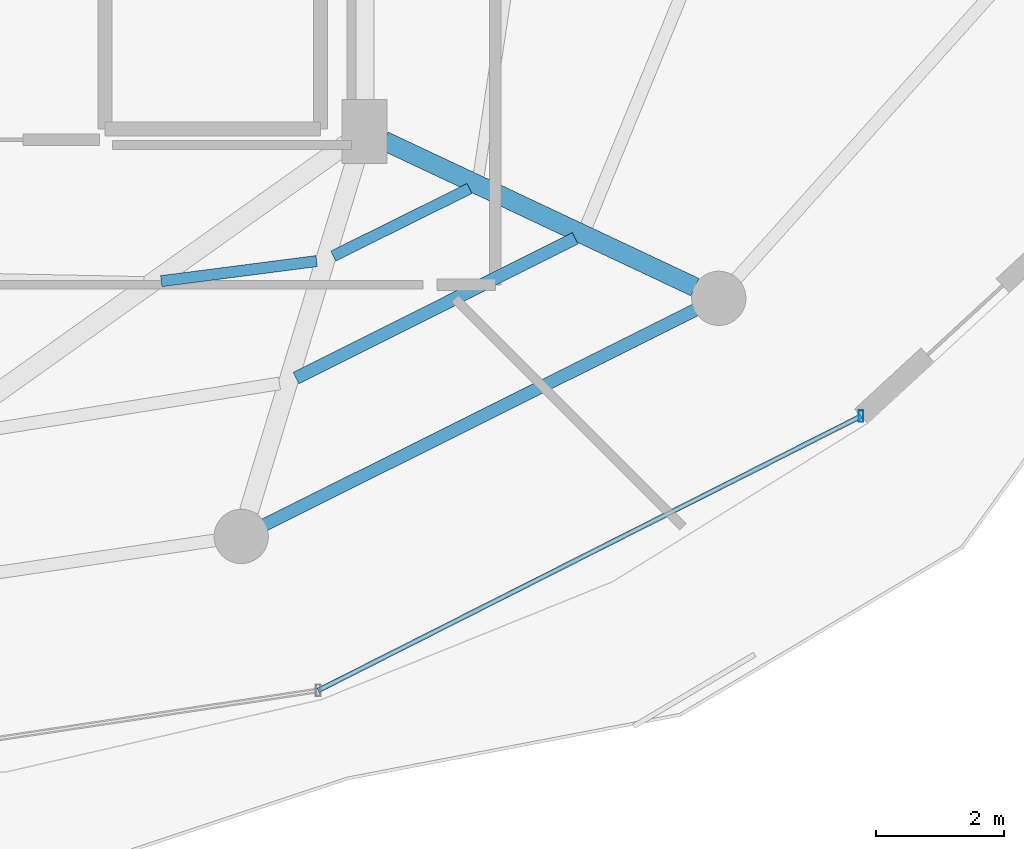
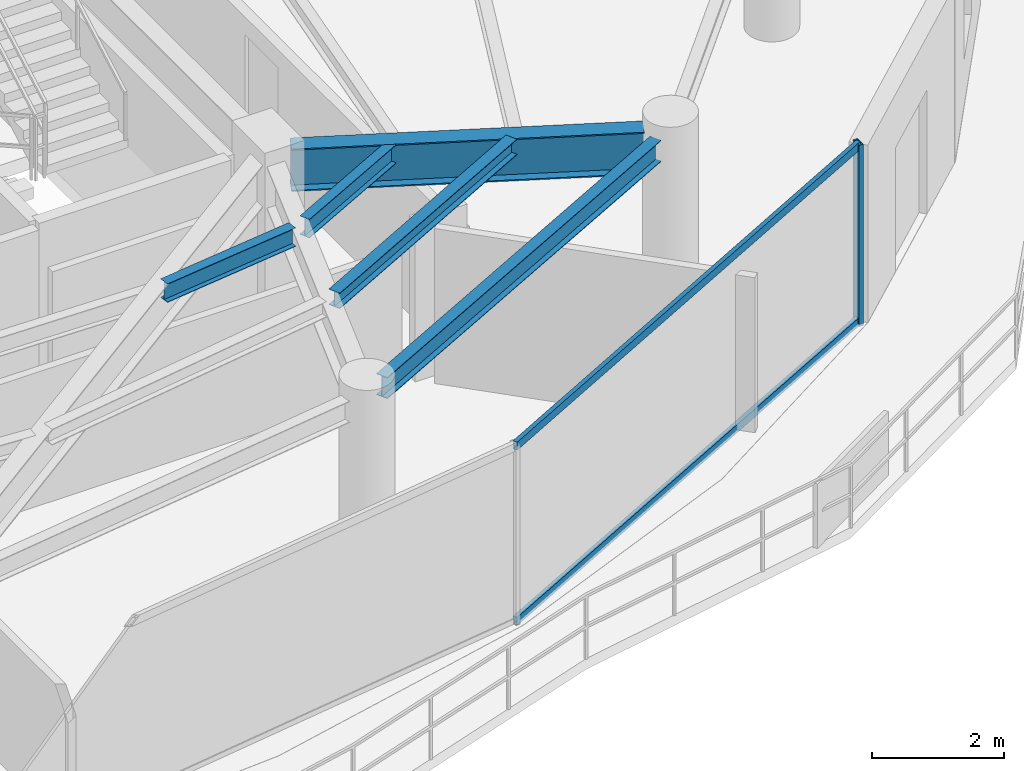
# One storey, part 11 of 29: 5 beams, 3 members, 1 element without a shape of its own.
"""IFC4 building model written with IfcOpenShell, lengths in metres."""

from ifc_helpers import new_model, si_unit, direction, frame, origin, origin_2d, place, context, subcontext, project, spatial, hollow_rectangle, i_section, extrude, material, material_profile, profile_set, type_object, element, aggregate, save


model = new_model("IFC4")

# Units and contexts
model_context = context("Model", 3, precision=1e-05, world=origin(), true_north=direction((0.0, 1.0)))
body_context = subcontext(model_context, "Body", "Model", "MODEL_VIEW")
ifc_project = project(units=[si_unit("LENGTHUNIT", "METRE"), si_unit("AREAUNIT", "SQUARE_METRE"), si_unit("VOLUMEUNIT", "CUBIC_METRE"), si_unit("PLANEANGLEUNIT", "RADIAN"), si_unit("MASSUNIT", "GRAM", prefix="KILO")], contexts=[model_context])

# Site, building, storey
site_placement = place(None, origin())
site = spatial("IfcSite", under=ifc_project, at=site_placement, CompositionType="ELEMENT")
building_placement = place(site_placement, origin())
building = spatial("IfcBuilding", under=site, at=building_placement, Name="Vorneva Point Tower", CompositionType="ELEMENT")
storey_placement = place(building_placement, frame((0.0, 0.0, 273.300048828125)))
storey = spatial("IfcBuildingStorey", under=building, at=storey_placement, Name="L74", CompositionType="ELEMENT", Elevation=273.300048828125)

# Beams
ifc_material_1 = material(Name="Steel S355", Category="steel")
ifc_material_profile_1 = material_profile(ifc_material_1, i_section(OverallWidth=0.300048828125, OverallDepth=0.7880859375, WebThickness=0.014404296875, FlangeThickness=0.02197265625, at=origin_2d()), Name="80Sh1")
ifc_profile_set_1 = profile_set([ifc_material_profile_1], Name="Steel S355")
beam_type_1 = type_object("IfcBeamType", Name="BM-GRD-80Sh1", PredefinedType="USERDEFINED", material=ifc_profile_set_1)
beam_1_placement = place(storey_placement, frame((53.925048828125, 14.013671875, 2.89599609375), z_axis=(-0.904750812805, 0.425941271455, 0.0), x_axis=(-0.425941271455, -0.904750812805, 0.0)))
element("IfcBeam", 1, at=beam_1_placement, inside=storey, type_object=beam_type_1, Name="L74 Radial Primary Girder 15", ObjectType="GIRDER", PredefinedType="USERDEFINED", context=body_context, shape_type="SweptSolid", body=[
    extrude(i_section(OverallWidth=0.300048828125, OverallDepth=0.7880859375, WebThickness=0.014404296875, FlangeThickness=0.02197265625, at=origin_2d()), origin(), (0.0, 0.0, 1.0), 5.3798828125),
])
ifc_material_profile_2 = material_profile(ifc_material_1, i_section(OverallWidth=0.199951171875, OverallDepth=0.291015625, WebThickness=0.008056640625, FlangeThickness=0.010986328125, at=origin_2d()), Name="30Sh1")
ifc_profile_set_2 = profile_set([ifc_material_profile_2], Name="Steel S355")
beam_type_2 = type_object("IfcBeamType", Name="BM-SEC-30Sh1", PredefinedType="BEAM", material=ifc_profile_set_2)
beam_2_placement = place(storey_placement, frame((47.68017578125, 12.589599609375, 3.14453125), z_axis=(0.894207228659, 0.447653249975, 0.0), x_axis=(-0.447653249975, 0.894207228659, 0.0)))
element("IfcBeam", 2, at=beam_2_placement, inside=storey, type_object=beam_type_2, Name="L74 Secondary Floor Beam 1.14", PredefinedType="BEAM", context=body_context, shape_type="SweptSolid", body=[
    extrude(i_section(OverallWidth=0.199951171875, OverallDepth=0.291015625, WebThickness=0.008056640625, FlangeThickness=0.010986328125, at=origin_2d()), origin(), (0.0, 0.0, 1.0), 4.885986328125),
])
ifc_material_profile_3 = material_profile(ifc_material_1, i_section(OverallWidth=0.174072265625, OverallDepth=0.345947265625, WebThickness=0.006103515625, FlangeThickness=0.009033203125, at=origin_2d()), Name="35B1")
ifc_profile_set_3 = profile_set([ifc_material_profile_3], Name="Steel S355")
beam_type_3 = type_object("IfcBeamType", Name="BM-SEC-35B1", PredefinedType="BEAM", material=ifc_profile_set_3)
beam_3_placement = place(storey_placement, frame((45.56884765625, 14.106689453125, 3.116943359375), z_axis=(0.991759516667, 0.128113469633, 0.0), x_axis=(-0.128113469633, 0.991759516667, 0.0)))
element("IfcBeam", 3, at=beam_3_placement, inside=storey, type_object=beam_type_3, Name="L74 Secondary Floor Beam 2.13", PredefinedType="BEAM", context=body_context, shape_type="SweptSolid", body=[
    extrude(i_section(OverallWidth=0.174072265625, OverallDepth=0.345947265625, WebThickness=0.006103515625, FlangeThickness=0.009033203125, at=origin_2d()), origin(), (0.0, 0.0, 1.0), 2.45263671875),
])
beam_4_placement = place(storey_placement, frame((48.26171875, 14.5, 3.116943359375), z_axis=(0.896082897708, 0.443886742803, 0.0), x_axis=(-0.443886742803, 0.896082897708, 0.0)))
element("IfcBeam", 4, at=beam_4_placement, inside=storey, type_object=beam_type_3, Name="L74 Secondary Floor Beam 2.14", PredefinedType="BEAM", context=body_context, shape_type="SweptSolid", body=[
    extrude(i_section(OverallWidth=0.174072265625, OverallDepth=0.345947265625, WebThickness=0.006103515625, FlangeThickness=0.009033203125, at=origin_2d()), origin(), (0.0, 0.0, 1.0), 2.3798828125),
])
ifc_material_profile_4 = material_profile(ifc_material_1, i_section(OverallWidth=0.198974609375, OverallDepth=0.39599609375, WebThickness=0.007080078125, FlangeThickness=0.010986328125, at=origin_2d()), Name="40B1")
ifc_profile_set_4 = profile_set([ifc_material_profile_4], Name="Steel S355")
beam_type_4 = type_object("IfcBeamType", Name="BM-SPN-40B1", PredefinedType="SPANDREL", material=ifc_profile_set_4)
beam_5_placement = place(storey_placement, frame((47.187744140625, 10.292236328125, 3.092041015625), z_axis=(0.894932011528, 0.446202526599, 0.0), x_axis=(-0.446202526599, 0.894932011528, 0.0)))
element("IfcBeam", 5, at=beam_5_placement, inside=storey, type_object=beam_type_4, Name="L74 Perimeter Spandrel Ring Beam 14", PredefinedType="SPANDREL", context=body_context, shape_type="SweptSolid", body=[
    extrude(i_section(OverallWidth=0.198974609375, OverallDepth=0.39599609375, WebThickness=0.007080078125, FlangeThickness=0.010986328125, at=origin_2d()), origin(), (0.0, 0.0, 1.0), 7.535888671875),
])

# Curtain wall, members
ifc_material_2 = material(Name="Pale anodised aluminium", Category="aluminium")
curtain_wall_type = type_object("IfcCurtainWallType", Name="CW-RES-SYS", PredefinedType="NOTDEFINED", material=ifc_material_2)
curtain_wall_placement = place(storey_placement, origin())
curtain_wall = element("IfcCurtainWall", 6, at=curtain_wall_placement, inside=storey, type_object=curtain_wall_type, Name="L74 Unitised Curtain Wall CW-L74-R04", PredefinedType="NOTDEFINED")
ifc_material_profile_5 = material_profile(ifc_material_2, hollow_rectangle(XDim=0.074951171875, YDim=0.179931640625, WallThickness=0.00390625, at=origin_2d()), Name="AL-MUL 180x75x4")
ifc_profile_set_5 = profile_set([ifc_material_profile_5], Name="Pale anodised aluminium")
member_type_1 = type_object("IfcMemberType", Name="CW-MUL-180", PredefinedType="MULLION", material=ifc_profile_set_5)
member_1_placement = place(storey_placement, frame((56.526123046875, 11.9921875, -0.0400390625), z_axis=(0.0, 0.0, 1.0), x_axis=(1.0, 0.0, 0.0)))
member_1 = element("IfcMember", 7, at=member_1_placement, type_object=member_type_1, Name="CW-L74-R04 Mullion 05", PredefinedType="MULLION", context=body_context, shape_type="SweptSolid", body=[
    extrude(hollow_rectangle(XDim=0.074951171875, YDim=0.179931640625, WallThickness=0.00390625, at=origin_2d()), origin(), (0.0, 0.0, 1.0), 3.360107421875),
])
ifc_material_profile_6 = material_profile(ifc_material_2, hollow_rectangle(XDim=0.074951171875, YDim=0.14990234375, WallThickness=0.00390625, at=origin_2d()), Name="AL-TRN 150x75x4")
ifc_profile_set_6 = profile_set([ifc_material_profile_6], Name="Pale anodised aluminium")
member_type_2 = type_object("IfcMemberType", Name="CW-TRN-150", PredefinedType="USERDEFINED", material=ifc_profile_set_6)
member_2_placement = place(storey_placement, frame((48.0263671875, 7.697998046875, 0.02001953125), z_axis=(0.892558185815, 0.450932239848, 0.0), x_axis=(-0.450932239848, 0.892558185815, 0.0)))
member_2 = element("IfcMember", 8, at=member_2_placement, type_object=member_type_2, Name="CW-L74-R04 Transom 04.1", ObjectType="TRANSOM", PredefinedType="USERDEFINED", context=body_context, shape_type="SweptSolid", body=[
    extrude(hollow_rectangle(XDim=0.074951171875, YDim=0.14990234375, WallThickness=0.00390625, at=origin_2d()), origin(), (0.0, 0.0, 1.0), 9.52294921875),
])
member_3_placement = place(storey_placement, frame((48.0263671875, 7.697998046875, 3.27001953125), z_axis=(0.892558185815, 0.450932239848, 0.0), x_axis=(-0.450932239848, 0.892558185815, 0.0)))
member_3 = element("IfcMember", 9, at=member_3_placement, type_object=member_type_2, Name="CW-L74-R04 Transom 04.2", ObjectType="TRANSOM", PredefinedType="USERDEFINED", context=body_context, shape_type="SweptSolid", body=[
    extrude(hollow_rectangle(XDim=0.074951171875, YDim=0.14990234375, WallThickness=0.00390625, at=origin_2d()), origin(), (0.0, 0.0, 1.0), 9.52294921875),
])
aggregate(curtain_wall, [member_1, member_2, member_3])

save(model, "model.ifc")
